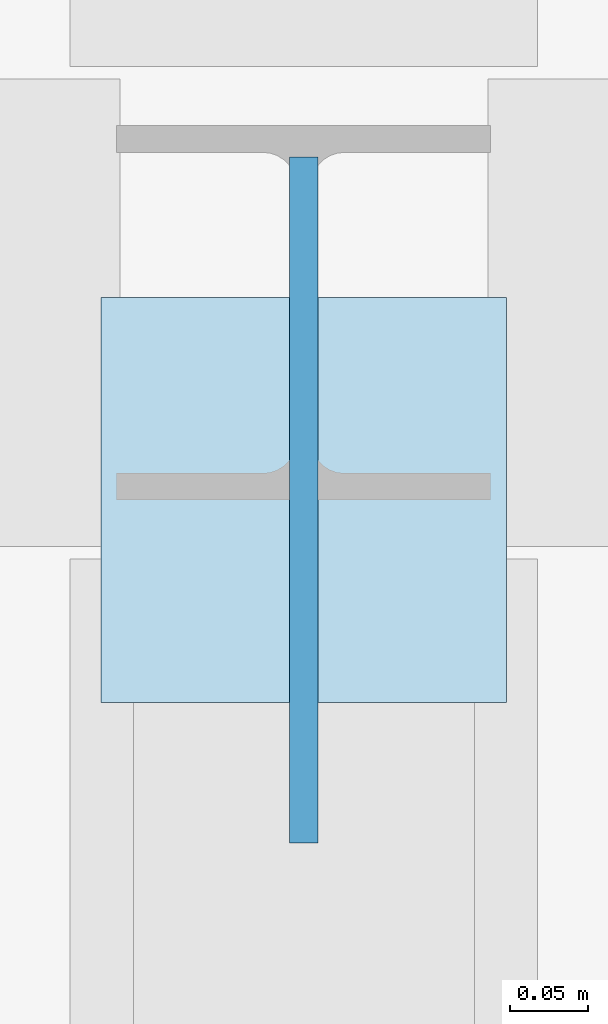
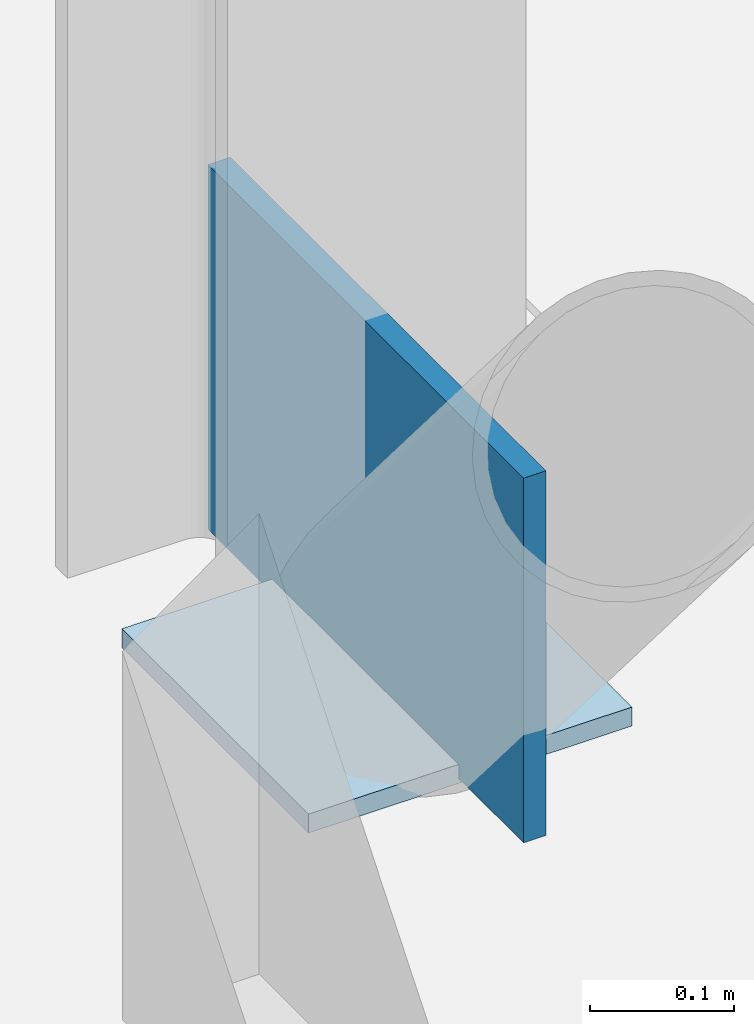
# One storey, part 33 of 53: 2 plates.
"""IFC4 building model written with IfcOpenShell, lengths in metres."""

from ifc_helpers import new_model, si_unit, direction, frame, origin, origin_2d, place, context, subcontext, project, spatial, rectangle, extrude, material, layer, layer_set, type_object, element, save


model = new_model("IFC4")

# Units and contexts
model_context = context("Model", 3, precision=1e-05, world=origin(), true_north=direction((0.0, 1.0)))
body_context = subcontext(model_context, "Body", "Model", "MODEL_VIEW")
ifc_project = project(units=[si_unit("LENGTHUNIT", "METRE"), si_unit("AREAUNIT", "SQUARE_METRE"), si_unit("VOLUMEUNIT", "CUBIC_METRE"), si_unit("PLANEANGLEUNIT", "RADIAN"), si_unit("MASSUNIT", "GRAM", prefix="KILO")], contexts=[model_context])

# Site, building, storey
site_placement = place(None, origin())
site = spatial("IfcSite", under=ifc_project, at=site_placement, CompositionType="ELEMENT")
building_placement = place(site_placement, origin())
building = spatial("IfcBuilding", under=site, at=building_placement, Name="Zarrinpeak Specialist Clinic", CompositionType="ELEMENT")
storey_placement = place(building_placement, frame((0.0, 0.0, 14.0)))
storey = spatial("IfcBuildingStorey", under=building, at=storey_placement, Name="L03", CompositionType="ELEMENT", Elevation=14.0)

# Plates
ifc_material = material(Name="Steel S355", Category="steel")
ifc_layer_1 = layer(ifc_material, 0.01611328125)
ifc_layer_set_1 = layer_set([ifc_layer_1], Name="Steel S355")
plate_type_1 = type_object("IfcPlateType", Name="PL-CAP219", PredefinedType="SHEET", material=ifc_layer_set_1)
plate_1_placement = place(storey_placement, frame((14.39990234375, 64.679931640625, 0.0009765625), z_axis=(0.0, 0.0, 1.0), x_axis=(1.0, 0.0, 0.0)))
element("IfcPlate", 1, at=plate_1_placement, inside=storey, type_object=plate_type_1, Name="V5 L03 Hollow Brace Foot Cap Plate B", PredefinedType="SHEET", context=body_context, shape_type="SweptSolid", body=[
    extrude(rectangle(XDim=0.260009765625, YDim=0.260009765625, at=origin_2d()), origin(), (0.0, 0.0, 1.0), 0.01611328125),
])
ifc_layer_2 = layer(ifc_material, 0.01806640625)
ifc_layer_set_2 = layer_set([ifc_layer_2], Name="Steel S355")
plate_type_2 = type_object("IfcPlateType", Name="PL-GN03", PredefinedType="SHEET", material=ifc_layer_set_2)
plate_2_placement = place(storey_placement, frame((14.39990234375, 64.679931640625, 0.0048828125), z_axis=(0.0, 0.0, 1.0), x_axis=(1.0, 0.0, 0.0)))
element("IfcPlate", 2, at=plate_2_placement, inside=storey, type_object=plate_type_2, Name="V5 L03 Brace Foot Gusset Plate GNF-V5-L03-B", PredefinedType="SHEET", context=body_context, shape_type="SweptSolid", body=[
    extrude(rectangle(XDim=0.01806640625, YDim=0.43994140625, at=origin_2d()), origin(), (0.0, 0.0, 1.0), 0.31005859375),
])

save(model, "model.ifc")
